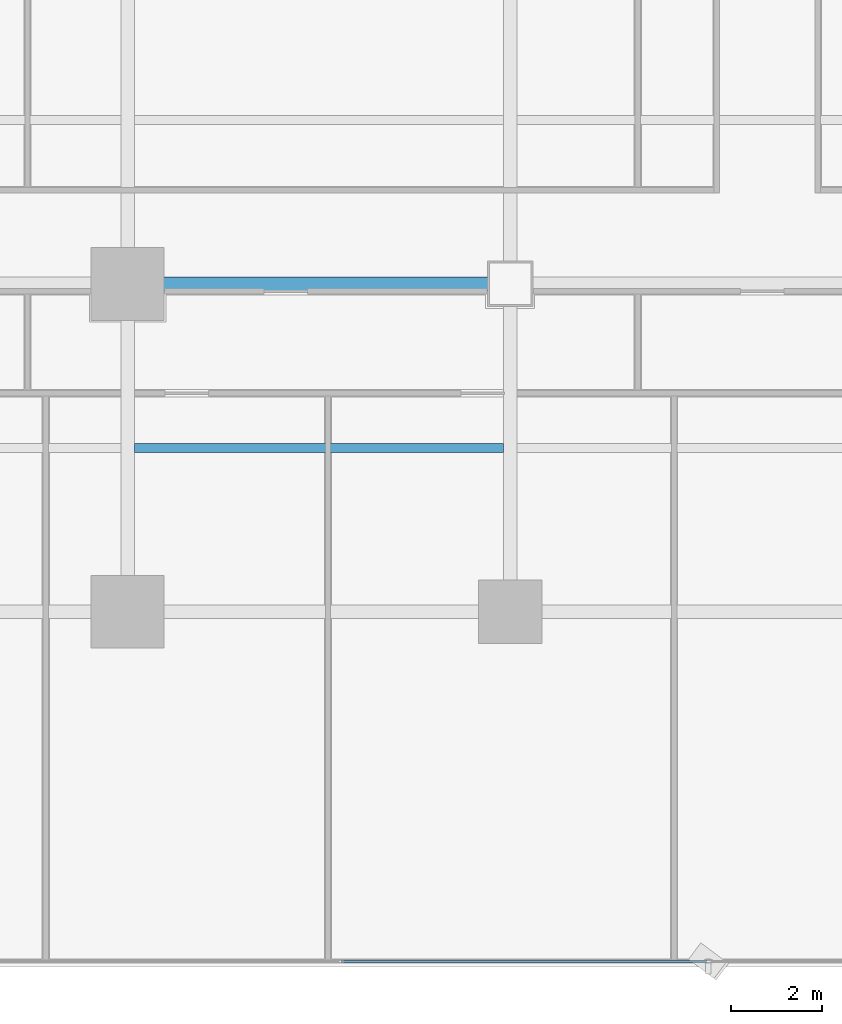
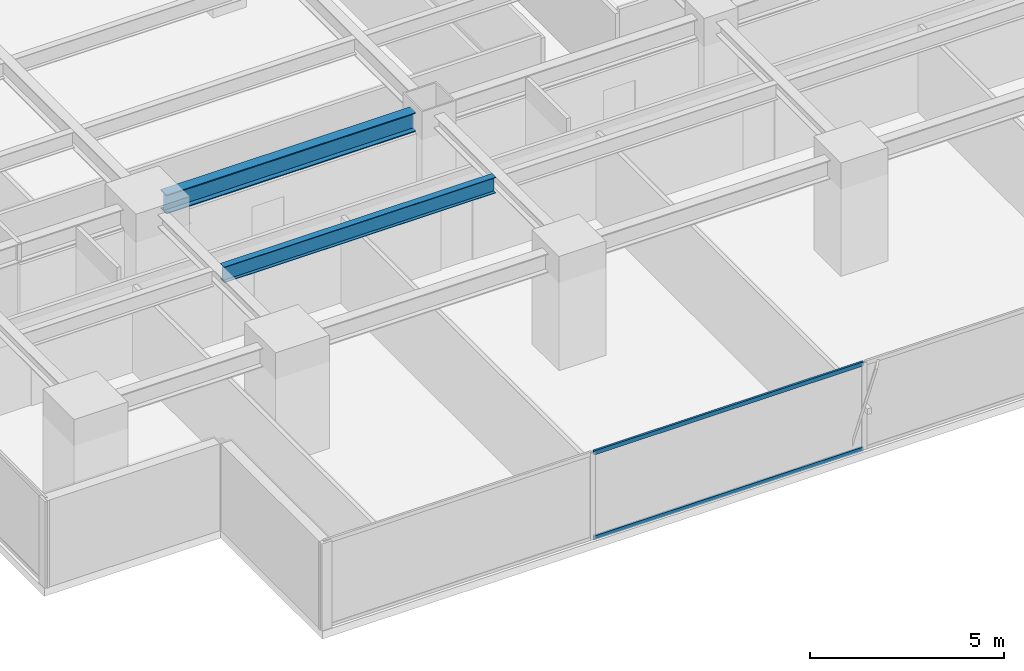
# One storey, part 5 of 37: 2 beams, 2 members, 1 element without a shape of its own.
"""IFC4 building model written with IfcOpenShell, lengths in metres."""

from ifc_helpers import new_model, si_unit, direction, frame, origin, origin_2d, place, context, subcontext, project, spatial, hollow_rectangle, i_section, extrude, source, transform, mapped, material, layer, layer_set, material_profile, profile_set, type_object, element, aggregate, save


model = new_model("IFC4")

# Units and contexts
model_context = context("Model", 3, precision=1e-05, world=origin(), true_north=direction((0.0, 1.0)))
body_context = subcontext(model_context, "Body", "Model", "MODEL_VIEW")
ifc_project = project(units=[si_unit("LENGTHUNIT", "METRE"), si_unit("AREAUNIT", "SQUARE_METRE"), si_unit("VOLUMEUNIT", "CUBIC_METRE"), si_unit("PLANEANGLEUNIT", "RADIAN"), si_unit("MASSUNIT", "GRAM", prefix="KILO")], contexts=[model_context])

# Site, building, storey
site_placement = place(None, origin())
site = spatial("IfcSite", under=ifc_project, at=site_placement, CompositionType="ELEMENT")
building_placement = place(site_placement, origin())
building = spatial("IfcBuilding", under=site, at=building_placement, Name="Sumidabori Civic Tower", CompositionType="ELEMENT")
storey_placement = place(building_placement, frame((0.0, 0.0, 88.39990234375)))
storey = spatial("IfcBuildingStorey", under=building, at=storey_placement, Name="L22", CompositionType="ELEMENT", Elevation=88.39990234375)

# Beams
ifc_material_1 = material(Name="Steel SN490", Category="steel")
ifc_material_profile_1 = material_profile(ifc_material_1, i_section(OverallWidth=0.300048828125, OverallDepth=0.60009765625, WebThickness=0.015380859375, FlangeThickness=0.030029296875, at=origin_2d()), Name="HE 600 B")
ifc_profile_set_1 = profile_set([ifc_material_profile_1], Name="Steel SN490")
beam_type_1 = type_object("IfcBeamType", Name="BM-GIRD-600", PredefinedType="BEAM", material=ifc_profile_set_1)
shared_shape_1 = source(origin(), body_context, "Body", "SweptSolid", [
    extrude(i_section(OverallWidth=0.300048828125, OverallDepth=0.60009765625, WebThickness=0.015380859375, FlangeThickness=0.030029296875, at=origin_2d()), origin(), (0.0, 0.0, 1.0), 7.440185546875),
])
beam_1_placement = place(storey_placement, frame((-16.320068359375, -10.800048828125, 3.06005859375), z_axis=(1.0, 0.0, 0.0), x_axis=(0.0, 1.0, 0.0)))
element("IfcBeam", 1, at=beam_1_placement, inside=storey, type_object=beam_type_1, Name="Primary Girder L22 GX-08", PredefinedType="BEAM", context=body_context, shape_type="MappedRepresentation", body=[
    mapped(shared_shape_1, transform((0.0, 0.0, 0.0), x_axis=(1.0, 0.0, 0.0), y_axis=(0.0, 1.0, 0.0), z_axis=(0.0, 0.0, 1.0), scale=1.0)),
])
ifc_material_profile_2 = material_profile(ifc_material_1, i_section(OverallWidth=0.199951171875, OverallDepth=0.5, WebThickness=0.01025390625, FlangeThickness=0.01611328125, at=origin_2d()), Name="IPE 500")
ifc_profile_set_2 = profile_set([ifc_material_profile_2], Name="Steel SN490")
beam_type_2 = type_object("IfcBeamType", Name="BM-JST-500", PredefinedType="JOIST", material=ifc_profile_set_2)
shared_shape_2 = source(origin(), body_context, "Body", "SweptSolid", [
    extrude(i_section(OverallWidth=0.199951171875, OverallDepth=0.5, WebThickness=0.01025390625, FlangeThickness=0.01611328125, at=origin_2d()), origin(), (0.0, 0.0, 1.0), 8.099853515625),
])
beam_2_placement = place(storey_placement, frame((-16.64990234375, -14.39990234375, 3.110107421875), z_axis=(1.0, 0.0, 0.0), x_axis=(0.0, 1.0, 0.0)))
element("IfcBeam", 2, at=beam_2_placement, inside=storey, type_object=beam_type_2, Name="South Bay Floor Joist L22 JSTS-55", PredefinedType="JOIST", context=body_context, shape_type="MappedRepresentation", body=[
    mapped(shared_shape_2, transform((0.0, 0.0, 0.0), x_axis=(1.0, 0.0, 0.0), y_axis=(0.0, 1.0, 0.0), z_axis=(0.0, 0.0, 1.0), scale=1.0)),
])

# Curtain wall, members
ifc_material_2 = material(Name="Anodised Bronze Aluminium AW-6063-T6", Category="aluminium")
ifc_layer = layer(ifc_material_2, 0.179931640625, Name="Anodised Bronze Aluminium AW-6063-T6")
ifc_layer_set = layer_set([ifc_layer], Name="Anodised Bronze Aluminium AW-6063-T6")
curtain_wall_type = type_object("IfcCurtainWallType", Name="CW-SYS-3", PredefinedType="NOTDEFINED", material=ifc_layer_set)
curtain_wall_placement = place(storey_placement, origin())
curtain_wall = element("IfcCurtainWall", 3, at=curtain_wall_placement, inside=storey, type_object=curtain_wall_type, Name="Curtain Wall CW:L22:R01", PredefinedType="NOTDEFINED")
ifc_material_profile_3 = material_profile(ifc_material_2, hollow_rectangle(XDim=0.06005859375, YDim=0.1298828125, WallThickness=0.0048828125, at=origin_2d()), Name="ALU TRANSOM 130x60")
ifc_profile_set_3 = profile_set([ifc_material_profile_3], Name="Anodised Bronze Aluminium AW-6063-T6")
member_type = type_object("IfcMemberType", Name="CW-TRN-130", PredefinedType="USERDEFINED", material=ifc_profile_set_3)
shared_shape_3 = source(origin(), body_context, "Body", "SweptSolid", [
    extrude(hollow_rectangle(XDim=0.06005859375, YDim=0.1298828125, WallThickness=0.0048828125, at=origin_2d()), origin(), (0.0, 0.0, 1.0), 8.023193359375),
])
member_1_placement = place(storey_placement, frame((-12.099609375, -25.679931640625, 0.030029296875), z_axis=(1.0, 0.0, 0.0), x_axis=(0.0, 1.0, 0.0)))
member_1 = element("IfcMember", 4, at=member_1_placement, type_object=member_type, Name="CW-3 transom 2.1", ObjectType="TRANSOM", PredefinedType="USERDEFINED", context=body_context, shape_type="MappedRepresentation", body=[
    mapped(shared_shape_3, transform((0.0, 0.0, 0.0), x_axis=(1.0, 0.0, 0.0), y_axis=(0.0, 1.0, 0.0), z_axis=(0.0, 0.0, 1.0), scale=1.0)),
])
member_2_placement = place(storey_placement, frame((-12.099609375, -25.679931640625, 2.710205078125), z_axis=(1.0, 0.0, 0.0), x_axis=(0.0, 1.0, 0.0)))
member_2 = element("IfcMember", 5, at=member_2_placement, type_object=member_type, Name="CW-3 transom 2.2", ObjectType="TRANSOM", PredefinedType="USERDEFINED", context=body_context, shape_type="MappedRepresentation", body=[
    mapped(shared_shape_3, transform((0.0, 0.0, 0.0), x_axis=(1.0, 0.0, 0.0), y_axis=(0.0, 1.0, 0.0), z_axis=(0.0, 0.0, 1.0), scale=1.0)),
])
aggregate(curtain_wall, [member_1, member_2])

save(model, "model.ifc")
